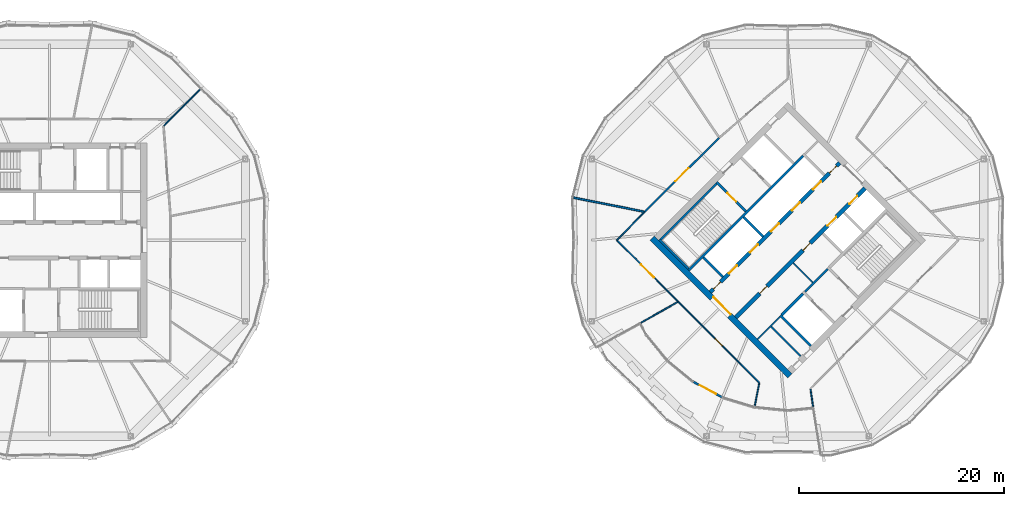
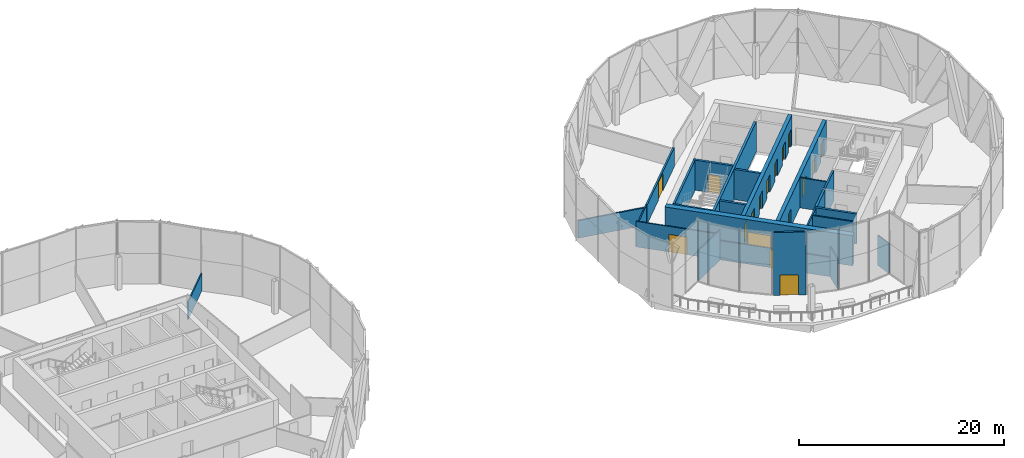
# One storey, part 20 of 26: 25 walls, 17 doors, 17 openings.
"""IFC4 building model written with IfcOpenShell, lengths in metres."""

from ifc_helpers import new_model, si_unit, direction, frame, frame_2d, origin, place, context, subcontext, project, spatial, rectangle, extrude, material, layer, layer_set, type_object, element, fill, save


model = new_model("IFC4")

# Units and contexts
model_context = context("Model", 3, precision=1e-05, world=origin(), true_north=direction((0.0, 1.0)))
body_context = subcontext(model_context, "Body", "Model", "MODEL_VIEW")
ifc_project = project(units=[si_unit("LENGTHUNIT", "METRE"), si_unit("AREAUNIT", "SQUARE_METRE"), si_unit("VOLUMEUNIT", "CUBIC_METRE"), si_unit("PLANEANGLEUNIT", "RADIAN"), si_unit("MASSUNIT", "GRAM", prefix="KILO")], contexts=[model_context])

# Site, building, storey
site_placement = place(None, origin())
site = spatial("IfcSite", under=ifc_project, at=site_placement, CompositionType="ELEMENT")
building_placement = place(site_placement, origin())
building = spatial("IfcBuilding", under=site, at=building_placement, Name="Ogive Gate Towers", CompositionType="ELEMENT")
storey_placement = place(building_placement, frame((0.0, 0.0, 208.5)))
storey = spatial("IfcBuildingStorey", under=building, at=storey_placement, Name="L50", CompositionType="ELEMENT", Elevation=208.5)

# Wall
ifc_material_1 = material(Name="Gypsum board acoustic partition")
ifc_layer_1 = layer(ifc_material_1, 0.175048828125)
ifc_layer_set_1 = layer_set([ifc_layer_1], Name="Acoustic partition 175")
wall_type_1 = type_object("IfcWallType", Name="Acoustic partition 175", PredefinedType="PARTITIONING", material=ifc_layer_set_1)
wall_1_placement = place(storey_placement, frame((15.108154296875, 4.147216796875, 0.0), z_axis=(0.0, 0.0, 1.0), x_axis=(0.980860372201, -0.194712429613, 0.0)))
element("IfcWall", 1, at=wall_1_placement, inside=storey, type_object=wall_type_1, Name="Partition T2-L50-005", PredefinedType="PARTITIONING", context=body_context, shape_type="SweptSolid", body=[
    extrude(rectangle(XDim=6.991455078125, YDim=0.175048828125, at=frame_2d((3.49560546875, 0.0))), origin(), (0.0, 0.0, 1.0), 2.10009765625),
])

# Wall, opening, door
wall_2_placement = place(storey_placement, frame((22.051513671875, 2.768798828125, 0.0), z_axis=(0.0, 0.0, 1.0), x_axis=(0.709200559125, 0.705006785029, 0.0)))
wall_2 = element("IfcWall", 2, at=wall_2_placement, inside=storey, type_object=wall_type_1, Name="Partition T2-L50-013", PredefinedType="PARTITIONING", context=body_context, shape_type="SweptSolid", body=[
    extrude(rectangle(XDim=10.245849609375, YDim=0.175048828125, at=frame_2d((5.123046875, 0.0))), origin(), (0.0, 0.0, 1.0), 2.300048828125),
])
opening_1_placement = place(wall_2_placement, frame((4.222900390625, 0.0, 0.0)))
opening_1 = element("IfcOpeningElement", 3, at=opening_1_placement, cuts=wall_2, Name="Opening T2-L50-D03", PredefinedType="OPENING", context=body_context, shape_type="SweptSolid", body=[
    extrude(rectangle(XDim=1.800048828125, YDim=2.10009765625, at=frame_2d((0.89990234375, 1.050048828125))), frame((0.0, 0.09765625, 0.0), z_axis=(0.0, -1.0, 0.0), x_axis=(1.0, 0.0, 0.0)), (0.0, 0.0, 1.0), 0.195068359375),
])
ifc_material_2 = material(Name="Timber door", Category="wood")
door_type_1 = type_object("IfcDoorType", Name="Door pair 1800", OperationType="NOTDEFINED", PredefinedType="DOOR", material=ifc_material_2)
door_1_placement = place(opening_1_placement, origin())
door_1 = element("IfcDoor", 4, at=door_1_placement, inside=storey, type_object=door_type_1, Name="Door T2-L50-D03", OperationType="DOUBLE_DOOR_DOUBLE_SWING", OverallHeight=2.10009765625, OverallWidth=1.800048828125, PredefinedType="DOOR", context=body_context, shape_type="SweptSolid", body=[
    extrude(rectangle(XDim=1.800048828125, YDim=2.10009765625, at=frame_2d((0.89990234375, 1.050048828125))), frame((0.0, 0.02490234375, 0.0), z_axis=(0.0, -1.0, 0.0), x_axis=(1.0, 0.0, 0.0)), (0.0, 0.0, 1.0), 0.050048828125),
])
fill(opening_1, door_1)

# Wall
ifc_material_3 = material(Name="Masonry blockwork", Category="masonry")
ifc_layer_2 = layer(ifc_material_3, 0.199951171875)
ifc_layer_set_2 = layer_set([ifc_layer_2], Name="Blockwork wall 200 mm")
wall_type_2 = type_object("IfcWallType", Name="Blockwork wall 200 mm", PredefinedType="PARTITIONING", material=ifc_layer_set_2)
wall_3_placement = place(storey_placement, frame((37.679443359375, -5.0380859375, 0.0), z_axis=(0.0, 0.0, 1.0), x_axis=(0.707106781187, 0.707106781187, 0.0)))
element("IfcWall", 5, at=wall_3_placement, inside=storey, type_object=wall_type_2, Name="T2 L50 Blockwork wall 200 mm", PredefinedType="PARTITIONING", context=body_context, shape_type="SweptSolid", body=[
    extrude(rectangle(XDim=3.14990234375, YDim=0.199951171875, at=frame_2d((1.574951171875, 0.0))), origin(), (0.0, 0.0, 1.0), 3.60009765625),
])

# Wall, opening, door
ifc_material_4 = material(Name="Concrete C60/75", Category="concrete")
ifc_layer_3 = layer(ifc_material_4, 0.60009765625)
ifc_layer_set_3 = layer_set([ifc_layer_3], Name="Core wall 600 mm")
wall_type_3 = type_object("IfcWallType", Name="Core wall 600 mm", PredefinedType="SHEAR", material=ifc_layer_set_3)
wall_4_placement = place(storey_placement, frame((36.212158203125, -13.222900390625, 0.0), z_axis=(0.0, 0.0, 1.0), x_axis=(-0.707106781187, 0.707106781187, 0.0)))
wall_4 = element("IfcWall", 6, at=wall_4_placement, inside=storey, type_object=wall_type_3, Name="T2 L50 Core wall 600 mm", PredefinedType="SHEAR", context=body_context, shape_type="SweptSolid", body=[
    extrude(rectangle(XDim=19.0, YDim=0.60009765625, at=frame_2d((9.5, 0.0))), origin(), (0.0, 0.0, 1.0), 3.60009765625),
])
opening_2_placement = place(wall_4_placement, frame((8.300048828125, 0.0, 0.0)))
opening_2 = element("IfcOpeningElement", 7, at=opening_2_placement, cuts=wall_4, Name="Opening KD-T2-L50-01", PredefinedType="OPENING", context=body_context, shape_type="SweptSolid", body=[
    extrude(rectangle(XDim=2.39990234375, YDim=2.10009765625, at=frame_2d((1.199951171875, 1.050048828125))), frame((0.0, 0.31005859375, 0.0), z_axis=(0.0, -1.0, 0.0), x_axis=(1.0, 0.0, 0.0)), (0.0, 0.0, 1.0), 0.6201171875),
])
ifc_material_5 = material(Name="Steel fire door", Category="steel")
door_type_2 = type_object("IfcDoorType", Name="Core double door FD60S 2400 x 2100", OperationType="DOUBLE_DOOR_SINGLE_SWING", PredefinedType="DOOR", material=ifc_material_5)
door_2_placement = place(opening_2_placement, origin())
door_2 = element("IfcDoor", 8, at=door_2_placement, inside=storey, type_object=door_type_2, Name="T2 L50 Core door double", OperationType="DOUBLE_DOOR_SINGLE_SWING", OverallHeight=2.10009765625, OverallWidth=2.39990234375, PredefinedType="DOOR", context=body_context, shape_type="SweptSolid", body=[
    extrude(rectangle(XDim=2.39990234375, YDim=2.10009765625, at=frame_2d((1.199951171875, 1.050048828125))), frame((0.0, -0.125, 0.0), z_axis=(0.0, -1.0, 0.0), x_axis=(1.0, 0.0, 0.0)), (0.0, 0.0, 1.0), 0.050048828125),
])
fill(opening_2, door_2)

ifc_material_6 = material(Name="Pale metal aluminium", Category="aluminium")
ifc_layer_4 = layer(ifc_material_6, 0.199951171875)
ifc_layer_set_4 = layer_set([ifc_layer_4], Name="Garden infill wall")
wall_type_4 = type_object("IfcWallType", Name="Garden infill wall", PredefinedType="SOLIDWALL", material=ifc_layer_set_4)
wall_5_placement = place(storey_placement, frame((29.625244140625, -15.324951171875, 0.0), z_axis=(0.0, 0.0, 1.0), x_axis=(-0.881951874832, 0.471339464165, 0.0)))
wall_5 = element("IfcWall", 9, at=wall_5_placement, inside=storey, type_object=wall_type_4, Name="Garden infill wall", PredefinedType="SOLIDWALL", context=body_context, shape_type="SweptSolid", body=[
    extrude(rectangle(XDim=3.2041015625, YDim=0.199951171875, at=frame_2d((1.60205078125, 0.0))), origin(), (0.0, 0.0, 1.0), 7.5),
])
opening_3_placement = place(wall_5_placement, frame((0.7021484375, 0.0, 0.0)))
opening_3 = element("IfcOpeningElement", 10, at=opening_3_placement, cuts=wall_5, Name="Opening ED1-L50-01", PredefinedType="OPENING", context=body_context, shape_type="SweptSolid", body=[
    extrude(rectangle(XDim=1.800048828125, YDim=2.39990234375, at=frame_2d((0.89990234375, 1.199951171875))), frame((0.0, 0.10986328125, 0.0), z_axis=(0.0, -1.0, 0.0), x_axis=(1.0, 0.0, 0.0)), (0.0, 0.0, 1.0), 0.219970703125),
])
door_type_3 = type_object("IfcDoorType", Name="Garden door 1800 x 2400", OperationType="DOUBLE_DOOR_SINGLE_SWING", PredefinedType="DOOR", material=ifc_material_6)
door_3_placement = place(opening_3_placement, origin())
door_3 = element("IfcDoor", 11, at=door_3_placement, inside=storey, type_object=door_type_3, Name="Garden door", OperationType="SINGLE_SWING_LEFT", OverallHeight=2.39990234375, OverallWidth=1.800048828125, PredefinedType="DOOR", context=body_context, shape_type="SweptSolid", body=[
    extrude(rectangle(XDim=1.800048828125, YDim=2.39990234375, at=frame_2d((0.89990234375, 1.199951171875))), frame((0.0, 0.02490234375, 0.0), z_axis=(0.0, -1.0, 0.0), x_axis=(1.0, 0.0, 0.0)), (0.0, 0.0, 1.0), 0.050048828125),
])
fill(opening_3, door_3)

# Walls
ifc_material_7 = material(Name="Gypsum board partition")
ifc_layer_5 = layer(ifc_material_7, 0.125)
ifc_layer_set_5 = layer_set([ifc_layer_5], Name="Partition 125")
wall_type_5 = type_object("IfcWallType", Name="Partition 125", PredefinedType="PARTITIONING", material=ifc_layer_set_5)
wall_6_placement = place(storey_placement, frame((-21.197265625, 14.802734375, 0.0), z_axis=(0.0, 0.0, 1.0), x_axis=(-0.707106781187, -0.707106781187, 0.0)))
element("IfcWall", 12, at=wall_6_placement, inside=storey, type_object=wall_type_5, Name="Partition T1-L50-002", PredefinedType="PARTITIONING", context=body_context, shape_type="SweptSolid", body=[
    extrude(rectangle(XDim=5.131591796875, YDim=0.125, at=frame_2d((2.56591796875, 0.0))), origin(), (0.0, 0.0, 1.0), 2.10009765625),
])
wall_7_placement = place(storey_placement, frame((21.684326171875, -8.049072265625, 0.0), z_axis=(0.0, 0.0, 1.0), x_axis=(0.871669113122, 0.490094845136, 0.0)))
element("IfcWall", 13, at=wall_7_placement, inside=storey, type_object=wall_type_5, Name="Partition T2-L50-006", PredefinedType="PARTITIONING", context=body_context, shape_type="SweptSolid", body=[
    extrude(rectangle(XDim=4.1103515625, YDim=0.125, at=frame_2d((2.05517578125, 0.0))), origin(), (0.0, 0.0, 1.0), 3.60009765625),
])
wall_8_placement = place(storey_placement, frame((32.781005859375, -16.182373046875, 0.0), z_axis=(0.0, 0.0, 1.0), x_axis=(0.195183876963, 0.980766666529, 0.0)))
element("IfcWall", 14, at=wall_8_placement, inside=storey, type_object=wall_type_5, Name="Partition T2-L50-007", PredefinedType="PARTITIONING", context=body_context, shape_type="SweptSolid", body=[
    extrude(rectangle(XDim=2.2666015625, YDim=0.125, at=frame_2d((1.13330078125, 0.0))), origin(), (0.0, 0.0, 1.0), 3.60009765625),
])
wall_9_placement = place(storey_placement, frame((38.4892578125, -16.355224609375, 0.0), z_axis=(0.0, 0.0, 1.0), x_axis=(-0.139994797411, 0.990152239152, 0.0)))
element("IfcWall", 15, at=wall_9_placement, inside=storey, type_object=wall_type_5, Name="Partition T2-L50-008", PredefinedType="PARTITIONING", context=body_context, shape_type="SweptSolid", body=[
    extrude(rectangle(XDim=1.844970703125, YDim=0.125, at=frame_2d((0.92236328125, 0.0))), origin(), (0.0, 0.0, 1.0), 3.60009765625),
])

# Wall, opening, door
wall_10_placement = place(storey_placement, frame((33.235595703125, -13.898193359375, 0.0), z_axis=(0.0, 0.0, 1.0), x_axis=(-0.707990779582, 0.706221676265, 0.0)))
wall_10 = element("IfcWall", 16, at=wall_10_placement, inside=storey, type_object=wall_type_5, Name="Partition T2-L50-010", PredefinedType="PARTITIONING", context=body_context, shape_type="SweptSolid", body=[
    extrude(rectangle(XDim=11.17822265625, YDim=0.125, at=frame_2d((5.589111328125, 0.0))), origin(), (0.0, 0.0, 1.0), 2.300048828125),
])
opening_4_placement = place(wall_10_placement, frame((5.089111328125, 0.0, 0.0)))
opening_4 = element("IfcOpeningElement", 17, at=opening_4_placement, cuts=wall_10, Name="Opening T2-L50-D01", PredefinedType="OPENING", context=body_context, shape_type="SweptSolid", body=[
    extrude(rectangle(XDim=1.0, YDim=2.10009765625, at=frame_2d((0.5, 1.050048828125))), frame((0.0, 0.072509765625, 0.0), z_axis=(0.0, -1.0, 0.0), x_axis=(1.0, 0.0, 0.0)), (0.0, 0.0, 1.0), 0.14501953125),
])
door_type_4 = type_object("IfcDoorType", Name="Door 1000", OperationType="NOTDEFINED", PredefinedType="DOOR", material=ifc_material_2)
door_4_placement = place(opening_4_placement, origin())
door_4 = element("IfcDoor", 18, at=door_4_placement, inside=storey, type_object=door_type_4, Name="Door T2-L50-D01", OperationType="SINGLE_SWING_LEFT", OverallHeight=2.10009765625, OverallWidth=1.0, PredefinedType="DOOR", context=body_context, shape_type="SweptSolid", body=[
    extrude(rectangle(XDim=1.0, YDim=2.10009765625, at=frame_2d((0.5, 1.050048828125))), frame((0.0, 0.02490234375, 0.0), z_axis=(0.0, -1.0, 0.0), x_axis=(1.0, 0.0, 0.0)), (0.0, 0.0, 1.0), 0.050048828125),
])
fill(opening_4, door_4)

wall_11_placement = place(storey_placement, frame((25.313232421875, -5.9892578125, 0.0), z_axis=(0.0, 0.0, 1.0), x_axis=(-0.70612472997, 0.708087470391, 0.0)))
wall_11 = element("IfcWall", 19, at=wall_11_placement, inside=storey, type_object=wall_type_5, Name="Partition T2-L50-011", PredefinedType="PARTITIONING", context=body_context, shape_type="SweptSolid", body=[
    extrude(rectangle(XDim=8.458251953125, YDim=0.125, at=frame_2d((4.22900390625, 0.0))), origin(), (0.0, 0.0, 1.0), 3.050048828125),
])
opening_5_placement = place(wall_11_placement, frame((3.3291015625, 0.0, 0.0)))
opening_5 = element("IfcOpeningElement", 20, at=opening_5_placement, cuts=wall_11, Name="Opening T2-L50-D02", PredefinedType="OPENING", context=body_context, shape_type="SweptSolid", body=[
    extrude(rectangle(XDim=1.800048828125, YDim=2.10009765625, at=frame_2d((0.89990234375, 1.050048828125))), frame((0.0, 0.072509765625, 0.0), z_axis=(0.0, -1.0, 0.0), x_axis=(1.0, 0.0, 0.0)), (0.0, 0.0, 1.0), 0.14501953125),
])
door_5_placement = place(opening_5_placement, origin())
door_5 = element("IfcDoor", 21, at=door_5_placement, inside=storey, type_object=door_type_1, Name="Door T2-L50-D02", OperationType="DOUBLE_DOOR_DOUBLE_SWING", OverallHeight=2.10009765625, OverallWidth=1.800048828125, PredefinedType="DOOR", context=body_context, shape_type="SweptSolid", body=[
    extrude(rectangle(XDim=1.800048828125, YDim=2.10009765625, at=frame_2d((0.89990234375, 1.050048828125))), frame((0.0, 0.02490234375, 0.0), z_axis=(0.0, -1.0, 0.0), x_axis=(1.0, 0.0, 0.0)), (0.0, 0.0, 1.0), 0.050048828125),
])
fill(opening_5, door_5)

# Walls
wall_12_placement = place(storey_placement, frame((19.340576171875, 0.0, 0.0), z_axis=(0.0, 0.0, 1.0), x_axis=(0.699601338328, 0.714533391389, 0.0)))
element("IfcWall", 22, at=wall_12_placement, inside=storey, type_object=wall_type_5, Name="Partition T2-L50-012", PredefinedType="PARTITIONING", context=body_context, shape_type="SweptSolid", body=[
    extrude(rectangle(XDim=3.875, YDim=0.125, at=frame_2d((1.9375, 0.0))), origin(), (0.0, 0.0, 1.0), 2.39990234375),
])
ifc_layer_6 = layer(ifc_material_7, 0.14990234375)
ifc_layer_set_6 = layer_set([ifc_layer_6], Name="Room partition 150 mm")
wall_type_6 = type_object("IfcWallType", Name="Room partition 150 mm", PredefinedType="PARTITIONING", material=ifc_layer_set_6)
wall_13_placement = place(storey_placement, frame((33.0654296875, -9.652099609375, 0.0), z_axis=(0.0, 0.0, 1.0), x_axis=(0.707146476181, 0.707067083964, 0.0)))
element("IfcWall", 23, at=wall_13_placement, inside=storey, type_object=wall_type_6, Name="T2 L50 Room partition 150 mm", PredefinedType="PARTITIONING", context=body_context, shape_type="SweptSolid", body=[
    extrude(rectangle(XDim=3.0751953125, YDim=0.14990234375, at=frame_2d((1.53759765625, 0.0))), origin(), (0.0, 0.0, 1.0), 3.60009765625),
])
wall_14_placement = place(storey_placement, frame((37.272705078125, -11.313720703125, 0.0), z_axis=(0.0, 0.0, 1.0), x_axis=(-0.707076824747, 0.707136736357, 0.0)))
element("IfcWall", 24, at=wall_14_placement, inside=storey, type_object=wall_type_6, Name="T2 L50 Room partition 150 mm", PredefinedType="PARTITIONING", context=body_context, shape_type="SweptSolid", body=[
    extrude(rectangle(XDim=4.074951171875, YDim=0.14990234375, at=frame_2d((2.03759765625, 0.0))), origin(), (0.0, 0.0, 1.0), 3.60009765625),
])
wall_15_placement = place(storey_placement, frame((38.439453125, -4.13671875, 0.0), z_axis=(0.0, 0.0, 1.0), x_axis=(-0.707061571201, 0.707151988282, 0.0)))
element("IfcWall", 25, at=wall_15_placement, inside=storey, type_object=wall_type_6, Name="T2 L50 Room partition 150 mm", PredefinedType="PARTITIONING", context=body_context, shape_type="SweptSolid", body=[
    extrude(rectangle(XDim=2.7001953125, YDim=0.14990234375, at=frame_2d((1.35009765625, 0.0))), origin(), (0.0, 0.0, 1.0), 3.60009765625),
])
ifc_layer_7 = layer(ifc_material_4, 0.25)
ifc_layer_set_7 = layer_set([ifc_layer_7], Name="Shaft wall 250 mm")
wall_type_7 = type_object("IfcWallType", Name="Shaft wall 250 mm", PredefinedType="SHEAR", material=ifc_layer_set_7)
wall_16_placement = place(storey_placement, frame((35.41650390625, -7.30078125, 0.0), z_axis=(0.0, 0.0, 1.0), x_axis=(0.707148157867, 0.707065402085, 0.0)))
element("IfcWall", 26, at=wall_16_placement, inside=storey, type_object=wall_type_7, Name="T2 L50 Shaft wall 250 mm", PredefinedType="SHEAR", context=body_context, shape_type="SweptSolid", body=[
    extrude(rectangle(XDim=2.9501953125, YDim=0.25, at=frame_2d((1.47509765625, 0.0))), origin(), (0.0, 0.0, 1.0), 3.60009765625),
])
wall_17_placement = place(storey_placement, frame((26.347900390625, -2.9345703125, 0.0), z_axis=(0.0, 0.0, 1.0), x_axis=(0.707106781187, 0.707106781187, 0.0)))
element("IfcWall", 27, at=wall_17_placement, inside=storey, type_object=wall_type_7, Name="T2 L50 Shaft wall 250 mm", PredefinedType="SHEAR", context=body_context, shape_type="SweptSolid", body=[
    extrude(rectangle(XDim=15.775146484375, YDim=0.25, at=frame_2d((7.8876953125, 0.0))), origin(), (0.0, 0.0, 1.0), 3.60009765625),
])
wall_18_placement = place(storey_placement, frame((29.67138671875, -3.57080078125, 0.0), z_axis=(0.0, 0.0, 1.0), x_axis=(-0.707152414227, 0.707061145201, 0.0)))
element("IfcWall", 28, at=wall_18_placement, inside=storey, type_object=wall_type_7, Name="T2 L50 Shaft wall 250 mm", PredefinedType="SHEAR", context=body_context, shape_type="SweptSolid", body=[
    extrude(rectangle(XDim=2.675048828125, YDim=0.25, at=frame_2d((1.33740234375, 0.0))), origin(), (0.0, 0.0, 1.0), 3.60009765625),
])
wall_19_placement = place(storey_placement, frame((38.2626953125, -10.32373046875, 0.0), z_axis=(0.0, 0.0, 1.0), x_axis=(-0.707106781187, 0.707106781187, 0.0)))
element("IfcWall", 29, at=wall_19_placement, inside=storey, type_object=wall_type_7, Name="T2 L50 Shaft wall 250 mm", PredefinedType="SHEAR", context=body_context, shape_type="SweptSolid", body=[
    extrude(rectangle(XDim=4.22509765625, YDim=0.25, at=frame_2d((2.112548828125, 0.0))), origin(), (0.0, 0.0, 1.0), 3.60009765625),
])
wall_20_placement = place(storey_placement, frame((33.595703125, 0.353515625, 0.0), z_axis=(0.0, 0.0, 1.0), x_axis=(-0.707061145201, 0.707152414227, 0.0)))
element("IfcWall", 30, at=wall_20_placement, inside=storey, type_object=wall_type_7, Name="T2 L50 Shaft wall 250 mm", PredefinedType="SHEAR", context=body_context, shape_type="SweptSolid", body=[
    extrude(rectangle(XDim=2.675048828125, YDim=0.25, at=frame_2d((1.33740234375, 0.0))), origin(), (0.0, 0.0, 1.0), 3.60009765625),
])

# Wall, opening, door
wall_21_placement = place(storey_placement, frame((31.91650390625, 2.810791015625, 0.0), z_axis=(0.0, 0.0, 1.0), x_axis=(-0.707106781187, 0.707106781187, 0.0)))
wall_21 = element("IfcWall", 31, at=wall_21_placement, inside=storey, type_object=wall_type_7, Name="T2 L50 Shaft wall 250 mm", PredefinedType="SHEAR", context=body_context, shape_type="SweptSolid", body=[
    extrude(rectangle(XDim=4.025146484375, YDim=0.25, at=frame_2d((2.0126953125, 0.0))), origin(), (0.0, 0.0, 1.0), 3.60009765625),
])
opening_6_placement = place(wall_21_placement, frame((1.324951171875, 0.0, 0.0)))
opening_6 = element("IfcOpeningElement", 32, at=opening_6_placement, cuts=wall_21, Name="Opening KD-T2-L50-16", PredefinedType="OPENING", context=body_context, shape_type="SweptSolid", body=[
    extrude(rectangle(XDim=1.199951171875, YDim=2.10009765625, at=frame_2d((0.60009765625, 1.050048828125))), frame((0.0, 0.135009765625, 0.0), z_axis=(0.0, -1.0, 0.0), x_axis=(1.0, 0.0, 0.0)), (0.0, 0.0, 1.0), 0.27001953125),
])
door_type_5 = type_object("IfcDoorType", Name="Core door FD60S 1200 x 2100", OperationType="NOTDEFINED", PredefinedType="DOOR", material=ifc_material_5)
door_6_placement = place(opening_6_placement, origin())
door_6 = element("IfcDoor", 33, at=door_6_placement, inside=storey, type_object=door_type_5, Name="T2 L50 Stair door", OperationType="SINGLE_SWING_LEFT", OverallHeight=2.10009765625, OverallWidth=1.199951171875, PredefinedType="DOOR", context=body_context, shape_type="SweptSolid", body=[
    extrude(rectangle(XDim=1.199951171875, YDim=2.10009765625, at=frame_2d((0.60009765625, 1.050048828125))), frame((0.0, 0.02490234375, 0.0), z_axis=(0.0, -1.0, 0.0), x_axis=(1.0, 0.0, 0.0)), (0.0, 0.0, 1.0), 0.050048828125),
])
fill(opening_6, door_6)

# Wall, openings, doors
ifc_layer_8 = layer(ifc_material_4, 0.39990234375)
ifc_layer_set_8 = layer_set([ifc_layer_8], Name="Spine wall 400 mm")
wall_type_8 = type_object("IfcWallType", Name="Spine wall 400 mm", PredefinedType="SHEAR", material=ifc_layer_set_8)
wall_22_placement = place(storey_placement, frame((30.944091796875, -7.53076171875, 0.0), z_axis=(0.0, 0.0, 1.0), x_axis=(0.707106781187, 0.707106781187, 0.0)))
wall_22 = element("IfcWall", 34, at=wall_22_placement, inside=storey, type_object=wall_type_8, Name="T2 L50 Spine wall 400 mm", PredefinedType="SHEAR", context=body_context, shape_type="SweptSolid", body=[
    extrude(rectangle(XDim=17.80029296875, YDim=0.39990234375, at=frame_2d((8.900146484375, 0.0))), origin(), (0.0, 0.0, 1.0), 3.60009765625),
])
opening_7_placement = place(wall_22_placement, frame((12.64990234375, 0.0, 0.0)))
opening_7 = element("IfcOpeningElement", 35, at=opening_7_placement, cuts=wall_22, Name="Opening LD-T2-L50-10", PredefinedType="OPENING", context=body_context, shape_type="SweptSolid", body=[
    extrude(rectangle(XDim=1.199951171875, YDim=2.10009765625, at=frame_2d((0.60009765625, 1.050048828125))), frame((0.0, 0.2099609375, 0.0), z_axis=(0.0, -1.0, 0.0), x_axis=(1.0, 0.0, 0.0)), (0.0, 0.0, 1.0), 0.419921875),
])
opening_8_placement = place(wall_22_placement, frame((15.64990234375, 0.0, 0.0)))
opening_8 = element("IfcOpeningElement", 36, at=opening_8_placement, cuts=wall_22, Name="Opening LD-T2-L50-11", PredefinedType="OPENING", context=body_context, shape_type="SweptSolid", body=[
    extrude(rectangle(XDim=1.10009765625, YDim=2.10009765625, at=frame_2d((0.550048828125, 1.050048828125))), frame((0.0, 0.2099609375, 0.0), z_axis=(0.0, -1.0, 0.0), x_axis=(1.0, 0.0, 0.0)), (0.0, 0.0, 1.0), 0.419921875),
])
opening_9_placement = place(wall_22_placement, frame((3.300048828125, 0.0, 0.0)))
opening_9 = element("IfcOpeningElement", 37, at=opening_9_placement, cuts=wall_22, Name="Opening KD-T2-L50-14", PredefinedType="OPENING", context=body_context, shape_type="SweptSolid", body=[
    extrude(rectangle(XDim=1.0, YDim=2.10009765625, at=frame_2d((0.5, 1.050048828125))), frame((0.0, 0.2099609375, 0.0), z_axis=(0.0, -1.0, 0.0), x_axis=(1.0, 0.0, 0.0)), (0.0, 0.0, 1.0), 0.419921875),
])
opening_10_placement = place(wall_22_placement, frame((9.25, 0.0, 0.0)))
opening_10 = element("IfcOpeningElement", 38, at=opening_10_placement, cuts=wall_22, Name="Opening KD-T2-L50-15", PredefinedType="OPENING", context=body_context, shape_type="SweptSolid", body=[
    extrude(rectangle(XDim=1.0, YDim=2.10009765625, at=frame_2d((0.5, 1.050048828125))), frame((0.0, 0.2099609375, 0.0), z_axis=(0.0, -1.0, 0.0), x_axis=(1.0, 0.0, 0.0)), (0.0, 0.0, 1.0), 0.419921875),
])
door_type_6 = type_object("IfcDoorType", Name="Core door FD60S 1000 x 2100", OperationType="NOTDEFINED", PredefinedType="DOOR", material=ifc_material_5)
door_7_placement = place(opening_9_placement, origin())
door_7 = element("IfcDoor", 39, at=door_7_placement, inside=storey, type_object=door_type_6, Name="T2 L50 Core door", OperationType="SINGLE_SWING_LEFT", OverallHeight=2.10009765625, OverallWidth=1.0, PredefinedType="DOOR", context=body_context, shape_type="SweptSolid", body=[
    extrude(rectangle(XDim=1.0, YDim=2.10009765625, at=frame_2d((0.5, 1.050048828125))), frame((0.0, 0.02490234375, 0.0), z_axis=(0.0, -1.0, 0.0), x_axis=(1.0, 0.0, 0.0)), (0.0, 0.0, 1.0), 0.050048828125),
])
fill(opening_9, door_7)
door_8_placement = place(opening_10_placement, origin())
door_8 = element("IfcDoor", 40, at=door_8_placement, inside=storey, type_object=door_type_6, Name="T2 L50 Core door", OperationType="SINGLE_SWING_RIGHT", OverallHeight=2.10009765625, OverallWidth=1.0, PredefinedType="DOOR", context=body_context, shape_type="SweptSolid", body=[
    extrude(rectangle(XDim=1.0, YDim=2.10009765625, at=frame_2d((0.5, 1.050048828125))), frame((0.0, 0.02490234375, 0.0), z_axis=(0.0, -1.0, 0.0), x_axis=(1.0, 0.0, 0.0)), (0.0, 0.0, 1.0), 0.050048828125),
])
fill(opening_10, door_8)
ifc_material_8 = material(Name="Stainless steel landing door", Category="steel")
door_type_7 = type_object("IfcDoorType", Name="Landing door 1100 x 2100", OperationType="SLIDING_TO_LEFT", PredefinedType="DOOR", material=ifc_material_8)
door_9_placement = place(opening_8_placement, origin())
door_9 = element("IfcDoor", 41, at=door_9_placement, inside=storey, type_object=door_type_7, Name="T2 L50 Lift landing door B6", OperationType="SLIDING_TO_LEFT", OverallHeight=2.10009765625, OverallWidth=1.10009765625, PredefinedType="DOOR", context=body_context, shape_type="SweptSolid", body=[
    extrude(rectangle(XDim=1.10009765625, YDim=2.10009765625, at=frame_2d((0.550048828125, 1.050048828125))), frame((0.0, 0.02490234375, 0.0), z_axis=(0.0, -1.0, 0.0), x_axis=(1.0, 0.0, 0.0)), (0.0, 0.0, 1.0), 0.050048828125),
])
fill(opening_8, door_9)
door_type_8 = type_object("IfcDoorType", Name="Landing door 1200 x 2100", OperationType="SLIDING_TO_LEFT", PredefinedType="DOOR", material=ifc_material_8)
door_10_placement = place(opening_7_placement, origin())
door_10 = element("IfcDoor", 42, at=door_10_placement, inside=storey, type_object=door_type_8, Name="T2 L50 Lift landing door SVC", OperationType="SLIDING_TO_LEFT", OverallHeight=2.10009765625, OverallWidth=1.199951171875, PredefinedType="DOOR", context=body_context, shape_type="SweptSolid", body=[
    extrude(rectangle(XDim=1.199951171875, YDim=2.10009765625, at=frame_2d((0.60009765625, 1.050048828125))), frame((0.0, 0.02490234375, 0.0), z_axis=(0.0, -1.0, 0.0), x_axis=(1.0, 0.0, 0.0)), (0.0, 0.0, 1.0), 0.050048828125),
])
fill(opening_7, door_10)

wall_23_placement = place(storey_placement, frame((28.46923828125, -5.055908203125, 0.0), z_axis=(0.0, 0.0, 1.0), x_axis=(0.707106781187, 0.707106781187, 0.0)))
wall_23 = element("IfcWall", 43, at=wall_23_placement, inside=storey, type_object=wall_type_8, Name="T2 L50 Spine wall 400 mm", PredefinedType="SHEAR", context=body_context, shape_type="SweptSolid", body=[
    extrude(rectangle(XDim=17.80029296875, YDim=0.39990234375, at=frame_2d((8.900146484375, 0.0))), origin(), (0.0, 0.0, 1.0), 3.60009765625),
])
opening_11_placement = place(wall_23_placement, frame((0.39990234375, 0.0, 0.0)))
opening_11 = element("IfcOpeningElement", 44, at=opening_11_placement, cuts=wall_23, Name="Opening KD-T2-L50-03", PredefinedType="OPENING", context=body_context, shape_type="SweptSolid", body=[
    extrude(rectangle(XDim=1.0, YDim=2.10009765625, at=frame_2d((0.5, 1.050048828125))), frame((0.0, 0.2099609375, 0.0), z_axis=(0.0, -1.0, 0.0), x_axis=(1.0, 0.0, 0.0)), (0.0, 0.0, 1.0), 0.419921875),
])
opening_12_placement = place(wall_23_placement, frame((2.550048828125, 0.0, 0.0)))
opening_12 = element("IfcOpeningElement", 45, at=opening_12_placement, cuts=wall_23, Name="Opening LD-T2-L50-04", PredefinedType="OPENING", context=body_context, shape_type="SweptSolid", body=[
    extrude(rectangle(XDim=1.10009765625, YDim=2.10009765625, at=frame_2d((0.550048828125, 1.050048828125))), frame((0.0, 0.2099609375, 0.0), z_axis=(0.0, -1.0, 0.0), x_axis=(1.0, 0.0, 0.0)), (0.0, 0.0, 1.0), 0.419921875),
])
opening_13_placement = place(wall_23_placement, frame((5.449951171875, 0.0, 0.0)))
opening_13 = element("IfcOpeningElement", 46, at=opening_13_placement, cuts=wall_23, Name="Opening LD-T2-L50-05", PredefinedType="OPENING", context=body_context, shape_type="SweptSolid", body=[
    extrude(rectangle(XDim=1.10009765625, YDim=2.10009765625, at=frame_2d((0.550048828125, 1.050048828125))), frame((0.0, 0.2099609375, 0.0), z_axis=(0.0, -1.0, 0.0), x_axis=(1.0, 0.0, 0.0)), (0.0, 0.0, 1.0), 0.419921875),
])
opening_14_placement = place(wall_23_placement, frame((8.35009765625, 0.0, 0.0)))
opening_14 = element("IfcOpeningElement", 47, at=opening_14_placement, cuts=wall_23, Name="Opening LD-T2-L50-06", PredefinedType="OPENING", context=body_context, shape_type="SweptSolid", body=[
    extrude(rectangle(XDim=1.10009765625, YDim=2.10009765625, at=frame_2d((0.550048828125, 1.050048828125))), frame((0.0, 0.2099609375, 0.0), z_axis=(0.0, -1.0, 0.0), x_axis=(1.0, 0.0, 0.0)), (0.0, 0.0, 1.0), 0.419921875),
])
opening_15_placement = place(wall_23_placement, frame((11.25, 0.0, 0.0)))
opening_15 = element("IfcOpeningElement", 48, at=opening_15_placement, cuts=wall_23, Name="Opening LD-T2-L50-07", PredefinedType="OPENING", context=body_context, shape_type="SweptSolid", body=[
    extrude(rectangle(XDim=1.10009765625, YDim=2.10009765625, at=frame_2d((0.550048828125, 1.050048828125))), frame((0.0, 0.2099609375, 0.0), z_axis=(0.0, -1.0, 0.0), x_axis=(1.0, 0.0, 0.0)), (0.0, 0.0, 1.0), 0.419921875),
])
opening_16_placement = place(wall_23_placement, frame((14.14990234375, 0.0, 0.0)))
opening_16 = element("IfcOpeningElement", 49, at=opening_16_placement, cuts=wall_23, Name="Opening LD-T2-L50-08", PredefinedType="OPENING", context=body_context, shape_type="SweptSolid", body=[
    extrude(rectangle(XDim=1.10009765625, YDim=2.10009765625, at=frame_2d((0.550048828125, 1.050048828125))), frame((0.0, 0.2099609375, 0.0), z_axis=(0.0, -1.0, 0.0), x_axis=(1.0, 0.0, 0.0)), (0.0, 0.0, 1.0), 0.419921875),
])
opening_17_placement = place(wall_23_placement, frame((16.39990234375, 0.0, 0.0)))
opening_17 = element("IfcOpeningElement", 50, at=opening_17_placement, cuts=wall_23, Name="Opening KD-T2-L50-09", PredefinedType="OPENING", context=body_context, shape_type="SweptSolid", body=[
    extrude(rectangle(XDim=1.0, YDim=2.10009765625, at=frame_2d((0.5, 1.050048828125))), frame((0.0, 0.2099609375, 0.0), z_axis=(0.0, -1.0, 0.0), x_axis=(1.0, 0.0, 0.0)), (0.0, 0.0, 1.0), 0.419921875),
])
door_11_placement = place(opening_11_placement, origin())
door_11 = element("IfcDoor", 51, at=door_11_placement, inside=storey, type_object=door_type_6, Name="T2 L50 Core door", OperationType="SINGLE_SWING_RIGHT", OverallHeight=2.10009765625, OverallWidth=1.0, PredefinedType="DOOR", context=body_context, shape_type="SweptSolid", body=[
    extrude(rectangle(XDim=1.0, YDim=2.10009765625, at=frame_2d((0.5, 1.050048828125))), frame((0.0, 0.02490234375, 0.0), z_axis=(0.0, -1.0, 0.0), x_axis=(1.0, 0.0, 0.0)), (0.0, 0.0, 1.0), 0.050048828125),
])
fill(opening_11, door_11)
door_12_placement = place(opening_17_placement, origin())
door_12 = element("IfcDoor", 52, at=door_12_placement, inside=storey, type_object=door_type_6, Name="T2 L50 Core door", OperationType="SINGLE_SWING_RIGHT", OverallHeight=2.10009765625, OverallWidth=1.0, PredefinedType="DOOR", context=body_context, shape_type="SweptSolid", body=[
    extrude(rectangle(XDim=1.0, YDim=2.10009765625, at=frame_2d((0.5, 1.050048828125))), frame((0.0, 0.02490234375, 0.0), z_axis=(0.0, -1.0, 0.0), x_axis=(1.0, 0.0, 0.0)), (0.0, 0.0, 1.0), 0.050048828125),
])
fill(opening_17, door_12)
door_13_placement = place(opening_12_placement, origin())
door_13 = element("IfcDoor", 53, at=door_13_placement, inside=storey, type_object=door_type_7, Name="T2 L50 Lift landing door B1", OperationType="SLIDING_TO_LEFT", OverallHeight=2.10009765625, OverallWidth=1.10009765625, PredefinedType="DOOR", context=body_context, shape_type="SweptSolid", body=[
    extrude(rectangle(XDim=1.10009765625, YDim=2.10009765625, at=frame_2d((0.550048828125, 1.050048828125))), frame((0.0, 0.02490234375, 0.0), z_axis=(0.0, -1.0, 0.0), x_axis=(1.0, 0.0, 0.0)), (0.0, 0.0, 1.0), 0.050048828125),
])
fill(opening_12, door_13)
door_14_placement = place(opening_13_placement, origin())
door_14 = element("IfcDoor", 54, at=door_14_placement, inside=storey, type_object=door_type_7, Name="T2 L50 Lift landing door B2", OperationType="SLIDING_TO_LEFT", OverallHeight=2.10009765625, OverallWidth=1.10009765625, PredefinedType="DOOR", context=body_context, shape_type="SweptSolid", body=[
    extrude(rectangle(XDim=1.10009765625, YDim=2.10009765625, at=frame_2d((0.550048828125, 1.050048828125))), frame((0.0, 0.02490234375, 0.0), z_axis=(0.0, -1.0, 0.0), x_axis=(1.0, 0.0, 0.0)), (0.0, 0.0, 1.0), 0.050048828125),
])
fill(opening_13, door_14)
door_15_placement = place(opening_14_placement, origin())
door_15 = element("IfcDoor", 55, at=door_15_placement, inside=storey, type_object=door_type_7, Name="T2 L50 Lift landing door B3", OperationType="SLIDING_TO_LEFT", OverallHeight=2.10009765625, OverallWidth=1.10009765625, PredefinedType="DOOR", context=body_context, shape_type="SweptSolid", body=[
    extrude(rectangle(XDim=1.10009765625, YDim=2.10009765625, at=frame_2d((0.550048828125, 1.050048828125))), frame((0.0, 0.02490234375, 0.0), z_axis=(0.0, -1.0, 0.0), x_axis=(1.0, 0.0, 0.0)), (0.0, 0.0, 1.0), 0.050048828125),
])
fill(opening_14, door_15)
door_16_placement = place(opening_15_placement, origin())
door_16 = element("IfcDoor", 56, at=door_16_placement, inside=storey, type_object=door_type_7, Name="T2 L50 Lift landing door B4", OperationType="SLIDING_TO_LEFT", OverallHeight=2.10009765625, OverallWidth=1.10009765625, PredefinedType="DOOR", context=body_context, shape_type="SweptSolid", body=[
    extrude(rectangle(XDim=1.10009765625, YDim=2.10009765625, at=frame_2d((0.550048828125, 1.050048828125))), frame((0.0, 0.02490234375, 0.0), z_axis=(0.0, -1.0, 0.0), x_axis=(1.0, 0.0, 0.0)), (0.0, 0.0, 1.0), 0.050048828125),
])
fill(opening_15, door_16)
door_17_placement = place(opening_16_placement, origin())
door_17 = element("IfcDoor", 57, at=door_17_placement, inside=storey, type_object=door_type_7, Name="T2 L50 Lift landing door B5", OperationType="SLIDING_TO_LEFT", OverallHeight=2.10009765625, OverallWidth=1.10009765625, PredefinedType="DOOR", context=body_context, shape_type="SweptSolid", body=[
    extrude(rectangle(XDim=1.10009765625, YDim=2.10009765625, at=frame_2d((0.550048828125, 1.050048828125))), frame((0.0, 0.02490234375, 0.0), z_axis=(0.0, -1.0, 0.0), x_axis=(1.0, 0.0, 0.0)), (0.0, 0.0, 1.0), 0.050048828125),
])
fill(opening_16, door_17)

# Walls
ifc_layer_9 = layer(ifc_material_4, 0.199951171875)
ifc_layer_set_9 = layer_set([ifc_layer_9], Name="Stair wall 200 mm")
wall_type_9 = type_object("IfcWallType", Name="Stair wall 200 mm", PredefinedType="SHEAR", material=ifc_layer_set_9)
wall_24_placement = place(storey_placement, frame((23.62548828125, 0.07080078125, 0.0), z_axis=(0.0, 0.0, 1.0), x_axis=(0.707122685701, 0.707090876314, 0.0)))
element("IfcWall", 58, at=wall_24_placement, inside=storey, type_object=wall_type_9, Name="T2 L50 Stair wall 200 mm", PredefinedType="SHEAR", context=body_context, shape_type="SweptSolid", body=[
    extrude(rectangle(XDim=7.675048828125, YDim=0.199951171875, at=frame_2d((3.83740234375, 0.0))), origin(), (0.0, 0.0, 1.0), 3.60009765625),
])
wall_25_placement = place(storey_placement, frame((26.330322265625, -2.775390625, 0.0), z_axis=(0.0, 0.0, 1.0), x_axis=(-0.707106781187, 0.707106781187, 0.0)))
element("IfcWall", 59, at=wall_25_placement, inside=storey, type_object=wall_type_9, Name="T2 L50 Stair wall 200 mm", PredefinedType="SHEAR", context=body_context, shape_type="SweptSolid", body=[
    extrude(rectangle(XDim=4.025146484375, YDim=0.199951171875, at=frame_2d((2.0126953125, 0.0))), origin(), (0.0, 0.0, 1.0), 3.60009765625),
])

save(model, "model.ifc")
